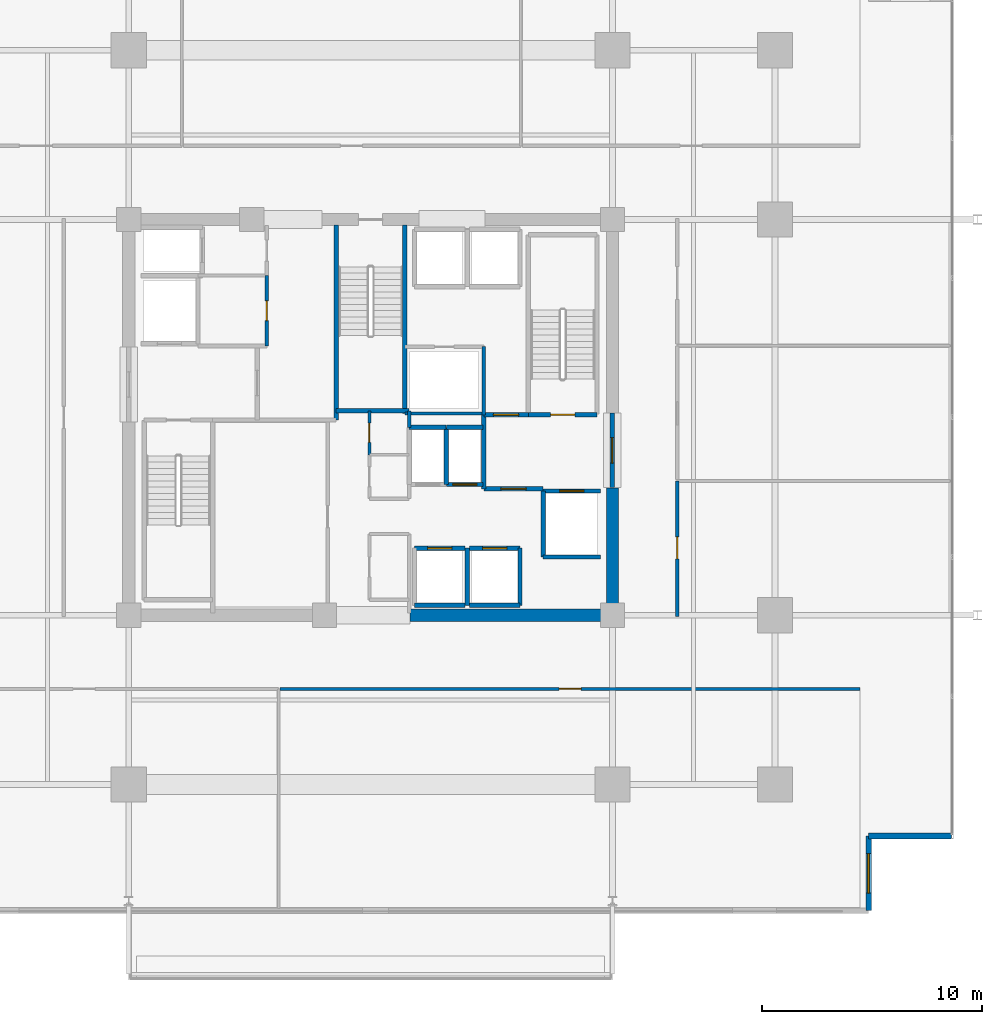
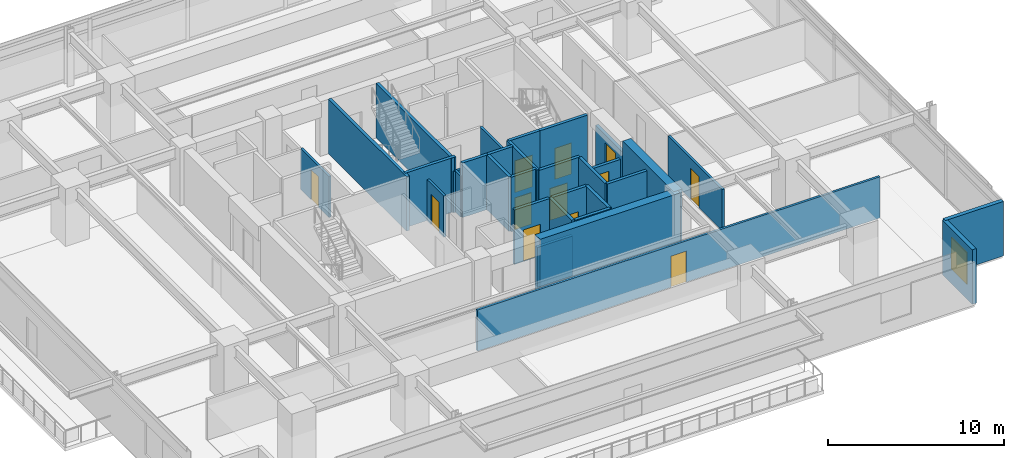
# One storey, part 15 of 23: 32 walls, 12 doors, 1 window, 13 openings.
"""IFC4 building model written with IfcOpenShell, lengths in metres."""

from ifc_helpers import new_model, si_unit, direction, frame, frame_2d, origin, place, context, subcontext, project, spatial, rectangle, extrude, material, layer, layer_set, type_object, element, fill, save


model = new_model("IFC4")

# Units and contexts
model_context = context("Model", 3, precision=1e-05, world=origin(), true_north=direction((0.0, 1.0)))
body_context = subcontext(model_context, "Body", "Model", "MODEL_VIEW")
ifc_project = project(units=[si_unit("LENGTHUNIT", "METRE"), si_unit("AREAUNIT", "SQUARE_METRE"), si_unit("VOLUMEUNIT", "CUBIC_METRE"), si_unit("PLANEANGLEUNIT", "RADIAN"), si_unit("MASSUNIT", "GRAM", prefix="KILO")], contexts=[model_context])

# Site, building, storey
site_placement = place(None, origin())
site = spatial("IfcSite", under=ifc_project, at=site_placement, CompositionType="ELEMENT")
building_placement = place(site_placement, origin())
building = spatial("IfcBuilding", under=site, at=building_placement, Name="Kovane Verandah Tower", CompositionType="ELEMENT")
storey_placement = place(building_placement, frame((0.0, 0.0, 140.39990234375)))
storey = spatial("IfcBuildingStorey", under=building, at=storey_placement, Name="L32", CompositionType="ELEMENT", Elevation=140.39990234375)

# Wall
ifc_material_1 = material(Name="Fire-Rated Gypsum Stud Partition", Category="gypsum")
ifc_layer_1 = layer(ifc_material_1, 0.14990234375)
ifc_layer_set_1 = layer_set([ifc_layer_1], Name="Fire-Rated Gypsum Stud Partition")
wall_type_1 = type_object("IfcWallType", Name="WL-COR-150", PredefinedType="PARTITIONING", material=ifc_layer_set_1)
wall_1_placement = place(storey_placement, frame((41.760009765625, 27.050048828125, 0.0), z_axis=(0.0, 0.0, 1.0), x_axis=(0.0, 1.0, 0.0)))
element("IfcWall", 1, at=wall_1_placement, inside=storey, type_object=wall_type_1, Name="L32 Central Core Strip Upper East Wall", PredefinedType="PARTITIONING", context=body_context, shape_type="SweptSolid", body=[
    extrude(rectangle(XDim=0.75, YDim=0.14990234375, at=frame_2d((0.375, 0.0))), origin(), (0.0, 0.0, 1.0), 2.85009765625),
])

# Wall, opening, door
wall_2_placement = place(storey_placement, frame((39.949951171875, 25.800048828125, 0.0), z_axis=(0.0, 0.0, 1.0), x_axis=(0.0, 1.0, 0.0)))
wall_2 = element("IfcWall", 2, at=wall_2_placement, inside=storey, type_object=wall_type_1, Name="L32 Telecom and BMS Riser Room Partition", PredefinedType="PARTITIONING", context=body_context, shape_type="SweptSolid", body=[
    extrude(rectangle(XDim=2.0, YDim=0.14990234375, at=frame_2d((1.0, 0.0))), origin(), (0.0, 0.0, 1.0), 2.85009765625),
])
opening_1_placement = place(wall_2_placement, frame((0.56005859375, 0.0, 0.0)))
opening_1 = element("IfcOpeningElement", 3, at=opening_1_placement, cuts=wall_2, Name="Opening DR-L32-022", PredefinedType="OPENING", context=body_context, shape_type="SweptSolid", body=[
    extrude(rectangle(XDim=0.8798828125, YDim=2.10009765625, at=frame_2d((0.43994140625, 1.050048828125))), frame((0.0, 0.074951171875, 0.0), z_axis=(0.0, -1.0, 0.0), x_axis=(1.0, 0.0, 0.0)), (0.0, 0.0, 1.0), 0.14990234375),
])
ifc_material_2 = material(Name="Fire-Rated Steel Riser Access Door", Category="steel")
door_type_1 = type_object("IfcDoorType", Name="DR-RISER-880", OperationType="SINGLE_SWING_LEFT", PredefinedType="DOOR", material=ifc_material_2)
door_1_placement = place(opening_1_placement, origin())
door_1 = element("IfcDoor", 4, at=door_1_placement, inside=storey, type_object=door_type_1, Name="L32 Telecom and BMS Riser Room Door", OperationType="SINGLE_SWING_RIGHT", OverallHeight=2.10009765625, OverallWidth=0.8798828125, PredefinedType="DOOR", context=body_context, shape_type="SweptSolid", body=[
    extrude(rectangle(XDim=0.8798828125, YDim=2.10009765625, at=frame_2d((0.43994140625, 1.050048828125))), frame((0.0, 0.02490234375, 0.0), z_axis=(0.0, -1.0, 0.0), x_axis=(1.0, 0.0, 0.0)), (0.0, 0.0, 1.0), 0.050048828125),
])
fill(opening_1, door_1)

wall_3_placement = place(storey_placement, frame((35.280029296875, 30.75, 0.0), z_axis=(0.0, 0.0, 1.0), x_axis=(0.0, 1.0, 0.0)))
wall_3 = element("IfcWall", 5, at=wall_3_placement, inside=storey, type_object=wall_type_1, Name="L32 Accessible Unisex Toilet Partition", PredefinedType="PARTITIONING", context=body_context, shape_type="SweptSolid", body=[
    extrude(rectangle(XDim=3.199951171875, YDim=0.14990234375, at=frame_2d((1.60009765625, 0.0))), origin(), (0.0, 0.0, 1.0), 2.85009765625),
])
opening_2_placement = place(wall_3_placement, frame((1.14990234375, 0.0, 0.0)))
opening_2 = element("IfcOpeningElement", 6, at=opening_2_placement, cuts=wall_3, Name="Opening DR-L32-023", PredefinedType="OPENING", context=body_context, shape_type="SweptSolid", body=[
    extrude(rectangle(XDim=0.89990234375, YDim=2.10009765625, at=frame_2d((0.449951171875, 1.050048828125))), frame((0.0, 0.074951171875, 0.0), z_axis=(0.0, -1.0, 0.0), x_axis=(1.0, 0.0, 0.0)), (0.0, 0.0, 1.0), 0.14990234375),
])
ifc_material_3 = material(Name="Moisture-Resistant Laminate Washroom Door", Category="wood")
door_type_2 = type_object("IfcDoorType", Name="DR-WC-900", OperationType="SINGLE_SWING_LEFT", PredefinedType="DOOR", material=ifc_material_3)
door_2_placement = place(opening_2_placement, origin())
door_2 = element("IfcDoor", 7, at=door_2_placement, inside=storey, type_object=door_type_2, Name="L32 Accessible Unisex Toilet Door", OperationType="SINGLE_SWING_RIGHT", OverallHeight=2.10009765625, OverallWidth=0.89990234375, PredefinedType="DOOR", context=body_context, shape_type="SweptSolid", body=[
    extrude(rectangle(XDim=0.89990234375, YDim=2.10009765625, at=frame_2d((0.449951171875, 1.050048828125))), frame((0.0, 0.02490234375, 0.0), z_axis=(0.0, -1.0, 0.0), x_axis=(1.0, 0.0, 0.0)), (0.0, 0.0, 1.0), 0.050048828125),
])
fill(opening_2, door_2)

# Walls
wall_4_placement = place(storey_placement, frame((41.56005859375, 27.679931640625, 0.0), z_axis=(0.0, 0.0, 1.0), x_axis=(1.0, 0.0, 0.0)))
element("IfcWall", 8, at=wall_4_placement, inside=storey, type_object=wall_type_1, Name="L32 East Core Service Riser South Wall", PredefinedType="PARTITIONING", context=body_context, shape_type="SweptSolid", body=[
    extrude(rectangle(XDim=3.58984375, YDim=0.14990234375, at=frame_2d((1.794921875, 0.0))), origin(), (0.0, 0.0, 1.0), 2.85009765625),
])
wall_5_placement = place(storey_placement, frame((45.14990234375, 27.6201171875, 0.0), z_axis=(0.0, 0.0, 1.0), x_axis=(0.0, 1.0, 0.0)))
element("IfcWall", 9, at=wall_5_placement, inside=storey, type_object=wall_type_1, Name="L32 East Core Service Riser East Wall", PredefinedType="PARTITIONING", context=body_context, shape_type="SweptSolid", body=[
    extrude(rectangle(XDim=3.099853515625, YDim=0.14990234375, at=frame_2d((1.5498046875, 0.0))), origin(), (0.0, 0.0, 1.0), 2.85009765625),
])

# Wall, opening, door
wall_6_placement = place(storey_placement, frame((35.891845703125, 15.14990234375, 0.0), z_axis=(0.0, 0.0, 1.0), x_axis=(1.0, 0.0, 0.0)))
wall_6 = element("IfcWall", 10, at=wall_6_placement, inside=storey, type_object=wall_type_1, Name="L32 Collaboration Hub S2 Corridor Partition", PredefinedType="PARTITIONING", context=body_context, shape_type="SweptSolid", body=[
    extrude(rectangle(XDim=26.3642578125, YDim=0.14990234375, at=frame_2d((13.18212890625, 0.0))), origin(), (0.0, 0.0, 1.0), 2.85009765625),
])
opening_3_placement = place(wall_6_placement, frame((12.68212890625, 0.0, 0.0)))
opening_3 = element("IfcOpeningElement", 11, at=opening_3_placement, cuts=wall_6, Name="Opening DR-L32-021", PredefinedType="OPENING", context=body_context, shape_type="SweptSolid", body=[
    extrude(rectangle(XDim=1.0, YDim=2.14990234375, at=frame_2d((0.5, 1.074951171875))), frame((0.0, 0.074951171875, 0.0), z_axis=(0.0, -1.0, 0.0), x_axis=(1.0, 0.0, 0.0)), (0.0, 0.0, 1.0), 0.14990234375),
])
ifc_material_4 = material(Name="FSC Spotted-Gum Timber Fire-Rated Office Door", Category="wood")
door_type_3 = type_object("IfcDoorType", Name="DR-OFF-1000", OperationType="SINGLE_SWING_LEFT", PredefinedType="DOOR", material=ifc_material_4)
door_3_placement = place(opening_3_placement, origin())
door_3 = element("IfcDoor", 12, at=door_3_placement, inside=storey, type_object=door_type_3, Name="L32 Collaboration Hub S2 Entrance Door", OperationType="SINGLE_SWING_LEFT", OverallHeight=2.14990234375, OverallWidth=1.0, PredefinedType="DOOR", context=body_context, shape_type="SweptSolid", body=[
    extrude(rectangle(XDim=1.0, YDim=2.14990234375, at=frame_2d((0.5, 1.074951171875))), frame((0.0, 0.02490234375, 0.0), z_axis=(0.0, -1.0, 0.0), x_axis=(1.0, 0.0, 0.0)), (0.0, 0.0, 1.0), 0.050048828125),
])
fill(opening_3, door_3)

wall_7_placement = place(storey_placement, frame((53.949951171875, 18.449951171875, 0.0), z_axis=(0.0, 0.0, 1.0), x_axis=(0.0, 1.0, 0.0)))
wall_7 = element("IfcWall", 13, at=wall_7_placement, inside=storey, type_object=wall_type_1, Name="L32 Open Plan Office E1 Corridor Partition", PredefinedType="PARTITIONING", context=body_context, shape_type="SweptSolid", body=[
    extrude(rectangle(XDim=6.154052734375, YDim=0.14990234375, at=frame_2d((3.0771484375, 0.0))), origin(), (0.0, 0.0, 1.0), 2.85009765625),
])
opening_4_placement = place(wall_7_placement, frame((2.616943359375, 0.0, 0.0)))
opening_4 = element("IfcOpeningElement", 14, at=opening_4_placement, cuts=wall_7, Name="Opening DR-L32-012", PredefinedType="OPENING", context=body_context, shape_type="SweptSolid", body=[
    extrude(rectangle(XDim=1.0, YDim=2.14990234375, at=frame_2d((0.5, 1.074951171875))), frame((0.0, 0.074951171875, 0.0), z_axis=(0.0, -1.0, 0.0), x_axis=(1.0, 0.0, 0.0)), (0.0, 0.0, 1.0), 0.14990234375),
])
door_4_placement = place(opening_4_placement, origin())
door_4 = element("IfcDoor", 15, at=door_4_placement, inside=storey, type_object=door_type_3, Name="L32 Open Plan Office E1 Entrance Door", OperationType="SINGLE_SWING_LEFT", OverallHeight=2.14990234375, OverallWidth=1.0, PredefinedType="DOOR", context=body_context, shape_type="SweptSolid", body=[
    extrude(rectangle(XDim=1.0, YDim=2.14990234375, at=frame_2d((0.5, 1.074951171875))), frame((0.0, 0.02490234375, 0.0), z_axis=(0.0, -1.0, 0.0), x_axis=(1.0, 0.0, 0.0)), (0.0, 0.0, 1.0), 0.050048828125),
])
fill(opening_4, door_4)

# Walls
ifc_material_5 = material(Name="Concrete C60/75", Category="concrete")
ifc_layer_2 = layer(ifc_material_5, 0.550048828125)
ifc_layer_set_2 = layer_set([ifc_layer_2], Name="Concrete C60/75")
wall_type_2 = type_object("IfcWallType", Name="WL-CORE-550", PredefinedType="SHEAR", material=ifc_layer_set_2)
wall_8_placement = place(storey_placement, frame((41.800048828125, 18.5, 0.0), z_axis=(0.0, 0.0, 1.0), x_axis=(1.0, 0.0, 0.0)))
element("IfcWall", 16, at=wall_8_placement, inside=storey, type_object=wall_type_2, Name="L32 Core Shear Wall CS-2", PredefinedType="SHEAR", context=body_context, shape_type="SweptSolid", body=[
    extrude(rectangle(XDim=9.199951171875, YDim=0.550048828125, at=frame_2d((4.60009765625, 0.0))), origin(), (0.0, 0.0, 1.0), 3.775146484375),
])
wall_9_placement = place(storey_placement, frame((51.0, 18.5, 0.0), z_axis=(0.0, 0.0, 1.0), x_axis=(0.0, 1.0, 0.0)))
element("IfcWall", 17, at=wall_9_placement, inside=storey, type_object=wall_type_2, Name="L32 Core Shear Wall CE-1", PredefinedType="SHEAR", context=body_context, shape_type="SweptSolid", body=[
    extrude(rectangle(XDim=5.800048828125, YDim=0.550048828125, at=frame_2d((2.89990234375, 0.0))), origin(), (0.0, 0.0, 1.0), 3.775146484375),
])
ifc_material_6 = material(Name="Concrete C45/55 Fire Wall", Category="concrete")
ifc_layer_3 = layer(ifc_material_6, 0.199951171875)
ifc_layer_set_3 = layer_set([ifc_layer_3], Name="Concrete C45/55 Fire Wall")
wall_type_3 = type_object("IfcWallType", Name="WL-FFL-200", PredefinedType="PARTITIONING", material=ifc_layer_set_3)
wall_10_placement = place(storey_placement, frame((45.14990234375, 24.25, 0.0), z_axis=(0.0, 0.0, 1.0), x_axis=(0.0, 1.0, 0.0)))
element("IfcWall", 18, at=wall_10_placement, inside=storey, type_object=wall_type_3, Name="L32 East Firefighting Lobby West Fire Wall", PredefinedType="PARTITIONING", context=body_context, shape_type="SweptSolid", body=[
    extrude(rectangle(XDim=3.3701171875, YDim=0.199951171875, at=frame_2d((1.68505859375, 0.0))), origin(), (0.0, 0.0, 1.0), 3.775146484375),
])

# Wall, opening, door
wall_11_placement = place(storey_placement, frame((45.14990234375, 24.25, 0.0), z_axis=(0.0, 0.0, 1.0), x_axis=(1.0, 0.0, 0.0)))
wall_11 = element("IfcWall", 19, at=wall_11_placement, inside=storey, type_object=wall_type_3, Name="W-L32-FFLE-S", PredefinedType="PARTITIONING", context=body_context, shape_type="SweptSolid", body=[
    extrude(rectangle(XDim=2.7001953125, YDim=0.199951171875, at=frame_2d((1.35009765625, 0.0))), origin(), (0.0, 0.0, 1.0), 3.775146484375),
])
opening_5_placement = place(wall_11_placement, frame((0.77490234375, 0.0, 0.0)))
opening_5 = element("IfcOpeningElement", 20, at=opening_5_placement, cuts=wall_11, Name="Opening DR-L32-003", PredefinedType="OPENING", context=body_context, shape_type="SweptSolid", body=[
    extrude(rectangle(XDim=1.14990234375, YDim=2.199951171875, at=frame_2d((0.574951171875, 1.10009765625))), frame((0.0, 0.10009765625, 0.0), z_axis=(0.0, -1.0, 0.0), x_axis=(1.0, 0.0, 0.0)), (0.0, 0.0, 1.0), 0.199951171875),
])
ifc_material_7 = material(Name="Smoke-Sealed Firefighting Lobby Door", Category="steel")
door_type_4 = type_object("IfcDoorType", Name="DR-FFL-1150", OperationType="SINGLE_SWING_LEFT", PredefinedType="DOOR", material=ifc_material_7)
door_5_placement = place(opening_5_placement, origin())
door_5 = element("IfcDoor", 21, at=door_5_placement, inside=storey, type_object=door_type_4, Name="L32 East Firefighting Lobby Inner Door", OperationType="SINGLE_SWING_RIGHT", OverallHeight=2.199951171875, OverallWidth=1.14990234375, PredefinedType="DOOR", context=body_context, shape_type="SweptSolid", body=[
    extrude(rectangle(XDim=1.14990234375, YDim=2.199951171875, at=frame_2d((0.574951171875, 1.10009765625))), frame((0.0, 0.02490234375, 0.0), z_axis=(0.0, -1.0, 0.0), x_axis=(1.0, 0.0, 0.0)), (0.0, 0.0, 1.0), 0.050048828125),
])
fill(opening_5, door_5)

wall_12_placement = place(storey_placement, frame((45.14990234375, 27.6201171875, 0.0), z_axis=(0.0, 0.0, 1.0), x_axis=(1.0, 0.0, 0.0)))
wall_12 = element("IfcWall", 22, at=wall_12_placement, inside=storey, type_object=wall_type_3, Name="W-L32-FFLE-N", PredefinedType="PARTITIONING", context=body_context, shape_type="SweptSolid", body=[
    extrude(rectangle(XDim=2.030029296875, YDim=0.199951171875, at=frame_2d((1.01513671875, 0.0))), origin(), (0.0, 0.0, 1.0), 3.775146484375),
])
opening_6_placement = place(wall_12_placement, frame((0.43994140625, 0.0, 0.0)))
opening_6 = element("IfcOpeningElement", 23, at=opening_6_placement, cuts=wall_12, Name="Opening DR-L32-004", PredefinedType="OPENING", context=body_context, shape_type="SweptSolid", body=[
    extrude(rectangle(XDim=1.14990234375, YDim=2.199951171875, at=frame_2d((0.574951171875, 1.10009765625))), frame((0.0, 0.10009765625, 0.0), z_axis=(0.0, -1.0, 0.0), x_axis=(1.0, 0.0, 0.0)), (0.0, 0.0, 1.0), 0.199951171875),
])
door_6_placement = place(opening_6_placement, origin())
door_6 = element("IfcDoor", 24, at=door_6_placement, inside=storey, type_object=door_type_4, Name="L32 East Firefighting Lobby Shuttle Link Door", OperationType="SINGLE_SWING_LEFT", OverallHeight=2.199951171875, OverallWidth=1.14990234375, PredefinedType="DOOR", context=body_context, shape_type="SweptSolid", body=[
    extrude(rectangle(XDim=1.14990234375, YDim=2.199951171875, at=frame_2d((0.574951171875, 1.10009765625))), frame((0.0, 0.02490234375, 0.0), z_axis=(0.0, -1.0, 0.0), x_axis=(1.0, 0.0, 0.0)), (0.0, 0.0, 1.0), 0.050048828125),
])
fill(opening_6, door_6)

wall_13_placement = place(storey_placement, frame((51.0, 24.300048828125, 0.0), z_axis=(0.0, 0.0, 1.0), x_axis=(0.0, 1.0, 0.0)))
wall_13 = element("IfcWall", 25, at=wall_13_placement, inside=storey, type_object=wall_type_3, Name="W-L32-FFLE-OUT", PredefinedType="PARTITIONING", context=body_context, shape_type="SweptSolid", body=[
    extrude(rectangle(XDim=3.39990234375, YDim=0.199951171875, at=frame_2d((1.699951171875, 0.0))), origin(), (0.0, 0.0, 1.0), 2.755126953125),
])
opening_7_placement = place(wall_13_placement, frame((1.125, 0.0, 0.0)))
opening_7 = element("IfcOpeningElement", 26, at=opening_7_placement, cuts=wall_13, Name="Opening DR-L32-005", PredefinedType="OPENING", context=body_context, shape_type="SweptSolid", body=[
    extrude(rectangle(XDim=1.14990234375, YDim=2.199951171875, at=frame_2d((0.574951171875, 1.10009765625))), frame((0.0, 0.10009765625, 0.0), z_axis=(0.0, -1.0, 0.0), x_axis=(1.0, 0.0, 0.0)), (0.0, 0.0, 1.0), 0.199951171875),
])
door_7_placement = place(opening_7_placement, origin())
door_7 = element("IfcDoor", 27, at=door_7_placement, inside=storey, type_object=door_type_4, Name="L32 East Firefighting Lobby Corridor Door", OperationType="SINGLE_SWING_LEFT", OverallHeight=2.199951171875, OverallWidth=1.14990234375, PredefinedType="DOOR", context=body_context, shape_type="SweptSolid", body=[
    extrude(rectangle(XDim=1.14990234375, YDim=2.199951171875, at=frame_2d((0.574951171875, 1.10009765625))), frame((0.0, 0.02490234375, 0.0), z_axis=(0.0, -1.0, 0.0), x_axis=(1.0, 0.0, 0.0)), (0.0, 0.0, 1.0), 0.050048828125),
])
fill(opening_7, door_7)

# Wall
ifc_material_8 = material(Name="Concrete C45/55 Lift Shaft Wall", Category="concrete")
ifc_layer_4 = layer(ifc_material_8, 0.199951171875)
ifc_layer_set_4 = layer_set([ifc_layer_4], Name="Concrete C45/55 Lift Shaft Wall")
wall_type_4 = type_object("IfcWallType", Name="WL-LIFT-200", PredefinedType="SOLIDWALL", material=ifc_layer_set_4)
wall_14_placement = place(storey_placement, frame((47.85009765625, 21.14990234375, 0.0), z_axis=(0.0, 0.0, 1.0), x_axis=(1.0, 0.0, 0.0)))
element("IfcWall", 28, at=wall_14_placement, inside=storey, type_object=wall_type_4, Name="L32 Lift FL-02 S Shaft Wall", PredefinedType="SOLIDWALL", context=body_context, shape_type="SweptSolid", body=[
    extrude(rectangle(XDim=2.599853515625, YDim=0.199951171875, at=frame_2d((1.2998046875, 0.0))), origin(), (0.0, 0.0, 1.0), 3.775146484375),
])

# Wall, opening, door
wall_15_placement = place(storey_placement, frame((50.449951171875, 24.14990234375, 0.0), z_axis=(0.0, 0.0, 1.0), x_axis=(-1.0, 0.0, 0.0)))
wall_15 = element("IfcWall", 29, at=wall_15_placement, inside=storey, type_object=wall_type_4, Name="L32 Lift FL-02 N Shaft Wall", PredefinedType="SOLIDWALL", context=body_context, shape_type="SweptSolid", body=[
    extrude(rectangle(XDim=2.599853515625, YDim=0.199951171875, at=frame_2d((1.2998046875, 0.0))), origin(), (0.0, 0.0, 1.0), 2.755126953125),
])
opening_8_placement = place(wall_15_placement, frame((0.75, 0.0, 0.0)))
opening_8 = element("IfcOpeningElement", 30, at=opening_8_placement, cuts=wall_15, Name="Opening LD-L32-002", PredefinedType="OPENING", context=body_context, shape_type="SweptSolid", body=[
    extrude(rectangle(XDim=1.10009765625, YDim=2.199951171875, at=frame_2d((0.550048828125, 1.10009765625))), frame((0.0, 0.10009765625, 0.0), z_axis=(0.0, -1.0, 0.0), x_axis=(1.0, 0.0, 0.0)), (0.0, 0.0, 1.0), 0.199951171875),
])
ifc_material_9 = material(Name="Brushed Stainless Steel Sliding Lift Landing Door", Category="steel")
door_type_5 = type_object("IfcDoorType", Name="DR-LIFT-1100", OperationType="SLIDING_TO_RIGHT", PredefinedType="DOOR", material=ifc_material_9)
door_8_placement = place(opening_8_placement, origin())
door_8 = element("IfcDoor", 31, at=door_8_placement, inside=storey, type_object=door_type_5, Name="L32 Lift FL-02 Sliding Landing Door", OperationType="SLIDING_TO_RIGHT", OverallHeight=2.199951171875, OverallWidth=1.10009765625, PredefinedType="DOOR", context=body_context, shape_type="SweptSolid", body=[
    extrude(rectangle(XDim=1.10009765625, YDim=2.199951171875, at=frame_2d((0.550048828125, 1.10009765625))), frame((0.0, 0.02490234375, 0.0), z_axis=(0.0, -1.0, 0.0), x_axis=(1.0, 0.0, 0.0)), (0.0, 0.0, 1.0), 0.050048828125),
])
fill(opening_8, door_8)

# Walls
wall_16_placement = place(storey_placement, frame((47.85009765625, 24.14990234375, 0.0), z_axis=(0.0, 0.0, 1.0), x_axis=(0.0, -1.0, 0.0)))
element("IfcWall", 32, at=wall_16_placement, inside=storey, type_object=wall_type_4, Name="L32 Lift FL-02 W Shaft Wall", PredefinedType="SOLIDWALL", context=body_context, shape_type="SweptSolid", body=[
    extrude(rectangle(XDim=3.0, YDim=0.199951171875, at=frame_2d((1.5, 0.0))), origin(), (0.0, 0.0, 1.0), 3.775146484375),
])
wall_17_placement = place(storey_placement, frame((42.0, 18.949951171875, 0.0), z_axis=(0.0, 0.0, 1.0), x_axis=(1.0, 0.0, 0.0)))
element("IfcWall", 33, at=wall_17_placement, inside=storey, type_object=wall_type_4, Name="L32 Lift PL-M1 S Shaft Wall", PredefinedType="SOLIDWALL", context=body_context, shape_type="SweptSolid", body=[
    extrude(rectangle(XDim=2.300048828125, YDim=0.199951171875, at=frame_2d((1.14990234375, 0.0))), origin(), (0.0, 0.0, 1.0), 2.755126953125),
])

# Wall, opening, door
wall_18_placement = place(storey_placement, frame((44.300048828125, 21.550048828125, 0.0), z_axis=(0.0, 0.0, 1.0), x_axis=(-1.0, 0.0, 0.0)))
wall_18 = element("IfcWall", 34, at=wall_18_placement, inside=storey, type_object=wall_type_4, Name="L32 Lift PL-M1 N Shaft Wall", PredefinedType="SOLIDWALL", context=body_context, shape_type="SweptSolid", body=[
    extrude(rectangle(XDim=2.300048828125, YDim=0.199951171875, at=frame_2d((1.14990234375, 0.0))), origin(), (0.0, 0.0, 1.0), 3.775146484375),
])
opening_9_placement = place(wall_18_placement, frame((0.60009765625, 0.0, 0.0)))
opening_9 = element("IfcOpeningElement", 35, at=opening_9_placement, cuts=wall_18, Name="Opening LD-L32-004", PredefinedType="OPENING", context=body_context, shape_type="SweptSolid", body=[
    extrude(rectangle(XDim=1.10009765625, YDim=2.199951171875, at=frame_2d((0.550048828125, 1.10009765625))), frame((0.0, 0.10009765625, 0.0), z_axis=(0.0, -1.0, 0.0), x_axis=(1.0, 0.0, 0.0)), (0.0, 0.0, 1.0), 0.199951171875),
])
door_9_placement = place(opening_9_placement, origin())
door_9 = element("IfcDoor", 36, at=door_9_placement, inside=storey, type_object=door_type_5, Name="L32 Lift PL-M1 Sliding Landing Door", OperationType="SLIDING_TO_RIGHT", OverallHeight=2.199951171875, OverallWidth=1.10009765625, PredefinedType="DOOR", context=body_context, shape_type="SweptSolid", body=[
    extrude(rectangle(XDim=1.10009765625, YDim=2.199951171875, at=frame_2d((0.550048828125, 1.10009765625))), frame((0.0, 0.02490234375, 0.0), z_axis=(0.0, -1.0, 0.0), x_axis=(1.0, 0.0, 0.0)), (0.0, 0.0, 1.0), 0.050048828125),
])
fill(opening_9, door_9)

# Walls
wall_19_placement = place(storey_placement, frame((44.39990234375, 18.949951171875, 0.0), z_axis=(0.0, 0.0, 1.0), x_axis=(0.0, 1.0, 0.0)))
element("IfcWall", 37, at=wall_19_placement, inside=storey, type_object=wall_type_4, Name="L32 Lift PL-M1 and PL-M2 Shared Shaft Wall", PredefinedType="SOLIDWALL", context=body_context, shape_type="SweptSolid", body=[
    extrude(rectangle(XDim=2.60009765625, YDim=0.199951171875, at=frame_2d((1.300048828125, 0.0))), origin(), (0.0, 0.0, 1.0), 3.775146484375),
])
wall_20_placement = place(storey_placement, frame((44.5, 18.949951171875, 0.0), z_axis=(0.0, 0.0, 1.0), x_axis=(1.0, 0.0, 0.0)))
element("IfcWall", 38, at=wall_20_placement, inside=storey, type_object=wall_type_4, Name="L32 Lift PL-M2 S Shaft Wall", PredefinedType="SOLIDWALL", context=body_context, shape_type="SweptSolid", body=[
    extrude(rectangle(XDim=2.300048828125, YDim=0.199951171875, at=frame_2d((1.14990234375, 0.0))), origin(), (0.0, 0.0, 1.0), 3.775146484375),
])

# Wall, opening, door
wall_21_placement = place(storey_placement, frame((46.800048828125, 21.550048828125, 0.0), z_axis=(0.0, 0.0, 1.0), x_axis=(-1.0, 0.0, 0.0)))
wall_21 = element("IfcWall", 39, at=wall_21_placement, inside=storey, type_object=wall_type_4, Name="L32 Lift PL-M2 N Shaft Wall", PredefinedType="SOLIDWALL", context=body_context, shape_type="SweptSolid", body=[
    extrude(rectangle(XDim=2.300048828125, YDim=0.199951171875, at=frame_2d((1.14990234375, 0.0))), origin(), (0.0, 0.0, 1.0), 3.775146484375),
])
opening_10_placement = place(wall_21_placement, frame((0.60009765625, 0.0, 0.0)))
opening_10 = element("IfcOpeningElement", 40, at=opening_10_placement, cuts=wall_21, Name="Opening LD-L32-005", PredefinedType="OPENING", context=body_context, shape_type="SweptSolid", body=[
    extrude(rectangle(XDim=1.10009765625, YDim=2.199951171875, at=frame_2d((0.550048828125, 1.10009765625))), frame((0.0, 0.10009765625, 0.0), z_axis=(0.0, -1.0, 0.0), x_axis=(1.0, 0.0, 0.0)), (0.0, 0.0, 1.0), 0.199951171875),
])
door_10_placement = place(opening_10_placement, origin())
door_10 = element("IfcDoor", 41, at=door_10_placement, inside=storey, type_object=door_type_5, Name="L32 Lift PL-M2 Sliding Landing Door", OperationType="SLIDING_TO_RIGHT", OverallHeight=2.199951171875, OverallWidth=1.10009765625, PredefinedType="DOOR", context=body_context, shape_type="SweptSolid", body=[
    extrude(rectangle(XDim=1.10009765625, YDim=2.199951171875, at=frame_2d((0.550048828125, 1.10009765625))), frame((0.0, 0.02490234375, 0.0), z_axis=(0.0, -1.0, 0.0), x_axis=(1.0, 0.0, 0.0)), (0.0, 0.0, 1.0), 0.050048828125),
])
fill(opening_10, door_10)

# Walls
wall_22_placement = place(storey_placement, frame((46.800048828125, 18.949951171875, 0.0), z_axis=(0.0, 0.0, 1.0), x_axis=(0.0, 1.0, 0.0)))
element("IfcWall", 42, at=wall_22_placement, inside=storey, type_object=wall_type_4, Name="L32 Lift PL-M2 E Shaft Wall", PredefinedType="SOLIDWALL", context=body_context, shape_type="SweptSolid", body=[
    extrude(rectangle(XDim=2.60009765625, YDim=0.199951171875, at=frame_2d((1.300048828125, 0.0))), origin(), (0.0, 0.0, 1.0), 3.775146484375),
])
wall_23_placement = place(storey_placement, frame((43.43994140625, 27.050048828125, 0.0), z_axis=(0.0, 0.0, 1.0), x_axis=(-1.0, 0.0, 0.0)))
element("IfcWall", 43, at=wall_23_placement, inside=storey, type_object=wall_type_4, Name="L32 Lift PL-M3 N Shaft Wall", PredefinedType="SOLIDWALL", context=body_context, shape_type="SweptSolid", body=[
    extrude(rectangle(XDim=1.679931640625, YDim=0.199951171875, at=frame_2d((0.83984375, 0.0))), origin(), (0.0, 0.0, 1.0), 3.775146484375),
])
wall_24_placement = place(storey_placement, frame((43.449951171875, 24.449951171875, 0.0), z_axis=(0.0, 0.0, 1.0), x_axis=(0.0, 1.0, 0.0)))
element("IfcWall", 44, at=wall_24_placement, inside=storey, type_object=wall_type_4, Name="L32 Lift PL-M3 and PL-M4 Shared Shaft Wall", PredefinedType="SOLIDWALL", context=body_context, shape_type="SweptSolid", body=[
    extrude(rectangle(XDim=2.60009765625, YDim=0.199951171875, at=frame_2d((1.300048828125, 0.0))), origin(), (0.0, 0.0, 1.0), 3.775146484375),
])

# Wall, opening, door
wall_25_placement = place(storey_placement, frame((43.4599609375, 24.449951171875, 0.0), z_axis=(0.0, 0.0, 1.0), x_axis=(1.0, 0.0, 0.0)))
wall_25 = element("IfcWall", 45, at=wall_25_placement, inside=storey, type_object=wall_type_4, Name="L32 Lift PL-M4 S Shaft Wall", PredefinedType="SOLIDWALL", context=body_context, shape_type="SweptSolid", body=[
    extrude(rectangle(XDim=1.66015625, YDim=0.199951171875, at=frame_2d((0.830078125, 0.0))), origin(), (0.0, 0.0, 1.0), 3.775146484375),
])
opening_11_placement = place(wall_25_placement, frame((0.280029296875, 0.0, 0.0)))
opening_11 = element("IfcOpeningElement", 46, at=opening_11_placement, cuts=wall_25, Name="Opening LD-L32-007", PredefinedType="OPENING", context=body_context, shape_type="SweptSolid", body=[
    extrude(rectangle(XDim=1.10009765625, YDim=2.199951171875, at=frame_2d((0.550048828125, 1.10009765625))), frame((0.0, 0.10009765625, 0.0), z_axis=(0.0, -1.0, 0.0), x_axis=(1.0, 0.0, 0.0)), (0.0, 0.0, 1.0), 0.199951171875),
])
door_11_placement = place(opening_11_placement, origin())
door_11 = element("IfcDoor", 47, at=door_11_placement, inside=storey, type_object=door_type_5, Name="L32 Lift PL-M4 Sliding Landing Door", OperationType="SLIDING_TO_RIGHT", OverallHeight=2.199951171875, OverallWidth=1.10009765625, PredefinedType="DOOR", context=body_context, shape_type="SweptSolid", body=[
    extrude(rectangle(XDim=1.10009765625, YDim=2.199951171875, at=frame_2d((0.550048828125, 1.10009765625))), frame((0.0, 0.02490234375, 0.0), z_axis=(0.0, -1.0, 0.0), x_axis=(1.0, 0.0, 0.0)), (0.0, 0.0, 1.0), 0.050048828125),
])
fill(opening_11, door_11)

# Wall
wall_26_placement = place(storey_placement, frame((45.1201171875, 27.050048828125, 0.0), z_axis=(0.0, 0.0, 1.0), x_axis=(-1.0, 0.0, 0.0)))
element("IfcWall", 48, at=wall_26_placement, inside=storey, type_object=wall_type_4, Name="L32 Lift PL-M4 N Shaft Wall", PredefinedType="SOLIDWALL", context=body_context, shape_type="SweptSolid", body=[
    extrude(rectangle(XDim=1.66015625, YDim=0.199951171875, at=frame_2d((0.830078125, 0.0))), origin(), (0.0, 0.0, 1.0), 3.775146484375),
])

# Wall, opening, door
ifc_material_10 = material(Name="Concrete C45/55", Category="concrete")
ifc_layer_5 = layer(ifc_material_10, 0.199951171875)
ifc_layer_set_5 = layer_set([ifc_layer_5], Name="Concrete C45/55")
wall_type_5 = type_object("IfcWallType", Name="WL-SHAFT-200", PredefinedType="SOLIDWALL", material=ifc_layer_set_5)
wall_27_placement = place(storey_placement, frame((47.179931640625, 27.6201171875, 0.0), z_axis=(0.0, 0.0, 1.0), x_axis=(1.0, 0.0, 0.0)))
wall_27 = element("IfcWall", 49, at=wall_27_placement, inside=storey, type_object=wall_type_5, Name="W-L32-ST02-S", PredefinedType="SOLIDWALL", context=body_context, shape_type="SweptSolid", body=[
    extrude(rectangle(XDim=3.1201171875, YDim=0.199951171875, at=frame_2d((1.56005859375, 0.0))), origin(), (0.0, 0.0, 1.0), 3.775146484375),
])
opening_12_placement = place(wall_27_placement, frame((1.010009765625, 0.0, 0.0)))
opening_12 = element("IfcOpeningElement", 50, at=opening_12_placement, cuts=wall_27, Name="Opening DR-L32-010", PredefinedType="OPENING", context=body_context, shape_type="SweptSolid", body=[
    extrude(rectangle(XDim=1.10009765625, YDim=2.14990234375, at=frame_2d((0.550048828125, 1.074951171875))), frame((0.0, 0.10009765625, 0.0), z_axis=(0.0, -1.0, 0.0), x_axis=(1.0, 0.0, 0.0)), (0.0, 0.0, 1.0), 0.199951171875),
])
ifc_material_11 = material(Name="Fire-Rated Steel Exit Door", Category="steel")
door_type_6 = type_object("IfcDoorType", Name="DR-STAIR-1100", OperationType="SINGLE_SWING_LEFT", PredefinedType="DOOR", material=ifc_material_11)
door_12_placement = place(opening_12_placement, origin())
door_12 = element("IfcDoor", 51, at=door_12_placement, inside=storey, type_object=door_type_6, Name="L32 ST-02 Fire Exit Stair Door", OperationType="SINGLE_SWING_RIGHT", OverallHeight=2.14990234375, OverallWidth=1.10009765625, PredefinedType="DOOR", context=body_context, shape_type="SweptSolid", body=[
    extrude(rectangle(XDim=1.10009765625, YDim=2.14990234375, at=frame_2d((0.550048828125, 1.074951171875))), frame((0.0, 0.02490234375, 0.0), z_axis=(0.0, -1.0, 0.0), x_axis=(1.0, 0.0, 0.0)), (0.0, 0.0, 1.0), 0.050048828125),
])
fill(opening_12, door_12)

# Walls
wall_28_placement = place(storey_placement, frame((38.43994140625, 27.3798828125, 0.0), z_axis=(0.0, 0.0, 1.0), x_axis=(0.0, 1.0, 0.0)))
element("IfcWall", 52, at=wall_28_placement, inside=storey, type_object=wall_type_5, Name="W-L32-ST03-W", PredefinedType="SOLIDWALL", context=body_context, shape_type="SweptSolid", body=[
    extrude(rectangle(XDim=8.8701171875, YDim=0.199951171875, at=frame_2d((4.43505859375, 0.0))), origin(), (0.0, 0.0, 1.0), 3.775146484375),
])
wall_29_placement = place(storey_placement, frame((41.56005859375, 27.679931640625, 0.0), z_axis=(0.0, 0.0, 1.0), x_axis=(0.0, 1.0, 0.0)))
element("IfcWall", 53, at=wall_29_placement, inside=storey, type_object=wall_type_5, Name="W-L32-ST03-E", PredefinedType="SOLIDWALL", context=body_context, shape_type="SweptSolid", body=[
    extrude(rectangle(XDim=8.570068359375, YDim=0.199951171875, at=frame_2d((4.28515625, 0.0))), origin(), (0.0, 0.0, 1.0), 3.775146484375),
])
wall_30_placement = place(storey_placement, frame((38.43994140625, 27.800048828125, 0.0), z_axis=(0.0, 0.0, 1.0), x_axis=(1.0, 0.0, 0.0)))
element("IfcWall", 54, at=wall_30_placement, inside=storey, type_object=wall_type_5, Name="W-L32-ST03-S", PredefinedType="SOLIDWALL", context=body_context, shape_type="SweptSolid", body=[
    extrude(rectangle(XDim=3.320068359375, YDim=0.199951171875, at=frame_2d((1.66015625, 0.0))), origin(), (0.0, 0.0, 1.0), 3.775146484375),
])

# Wall, opening, window
ifc_material_12 = material(Name="Concrete C45/55 Insulated Spandrel Wall", Category="concrete")
ifc_layer_6 = layer(ifc_material_12, 0.260009765625)
ifc_layer_set_6 = layer_set([ifc_layer_6], Name="Concrete C45/55 Insulated Spandrel Wall")
wall_type_6 = type_object("IfcWallType", Name="WL-SPANDREL-260", PredefinedType="PARAPET", material=ifc_layer_set_6)
wall_31_placement = place(storey_placement, frame((62.656005859375, 5.05908203125, 0.0), z_axis=(0.0, 0.0, 1.0), x_axis=(0.0, 1.0, 0.0)))
wall_31 = element("IfcWall", 55, at=wall_31_placement, inside=storey, type_object=wall_type_6, Name="L32 SE Notch Cheek Wall 1", PredefinedType="PARAPET", context=body_context, shape_type="SweptSolid", body=[
    extrude(rectangle(XDim=3.400146484375, YDim=0.260009765625, at=frame_2d((1.7001953125, 0.0))), origin(), (0.0, 0.0, 1.0), 3.775146484375),
])
opening_13_placement = place(wall_31_placement, frame((0.800048828125, 0.0, 0.85009765625)))
opening_13 = element("IfcOpeningElement", 56, at=opening_13_placement, cuts=wall_31, Name="Opening W-03", PredefinedType="OPENING", context=body_context, shape_type="SweptSolid", body=[
    extrude(rectangle(XDim=1.800048828125, YDim=2.199951171875, at=frame_2d((0.89990234375, 1.10009765625))), frame((0.0, 0.1298828125, 0.0), z_axis=(0.0, -1.0, 0.0), x_axis=(1.0, 0.0, 0.0)), (0.0, 0.0, 1.0), 0.260009765625),
])
ifc_material_13 = material(Name="Clear Low-E Laminated Double Glazing in Anodised Frame", Category="glass")
window_type = type_object("IfcWindowType", Name="WN-NOTCH-1800x2200", PartitioningType="SINGLE_PANEL", PredefinedType="WINDOW", material=ifc_material_13)
window_placement = place(opening_13_placement, origin())
window = element("IfcWindow", 57, at=window_placement, inside=storey, type_object=window_type, Name="L32 SE Re-Entrant Corner Operable Window", OverallHeight=2.199951171875, OverallWidth=1.800048828125, PartitioningType="SINGLE_PANEL", PredefinedType="WINDOW", context=body_context, shape_type="SweptSolid", body=[
    extrude(rectangle(XDim=1.800048828125, YDim=2.199951171875, at=frame_2d((0.89990234375, 1.10009765625))), frame((0.0, 0.030029296875, 0.0), z_axis=(0.0, -1.0, 0.0), x_axis=(1.0, 0.0, 0.0)), (0.0, 0.0, 1.0), 0.06005859375),
])
fill(opening_13, window)

# Wall
wall_32_placement = place(storey_placement, frame((62.656005859375, 8.459228515625, 0.0), z_axis=(0.0, 0.0, 1.0), x_axis=(1.0, 0.0, 0.0)))
element("IfcWall", 58, at=wall_32_placement, inside=storey, type_object=wall_type_6, Name="L32 SE Notch Cheek Wall 2", PredefinedType="PARAPET", context=body_context, shape_type="SweptSolid", body=[
    extrude(rectangle(XDim=3.800048828125, YDim=0.260009765625, at=frame_2d((1.89990234375, 0.0))), origin(), (0.0, 0.0, 1.0), 3.775146484375),
])

save(model, "model.ifc")
